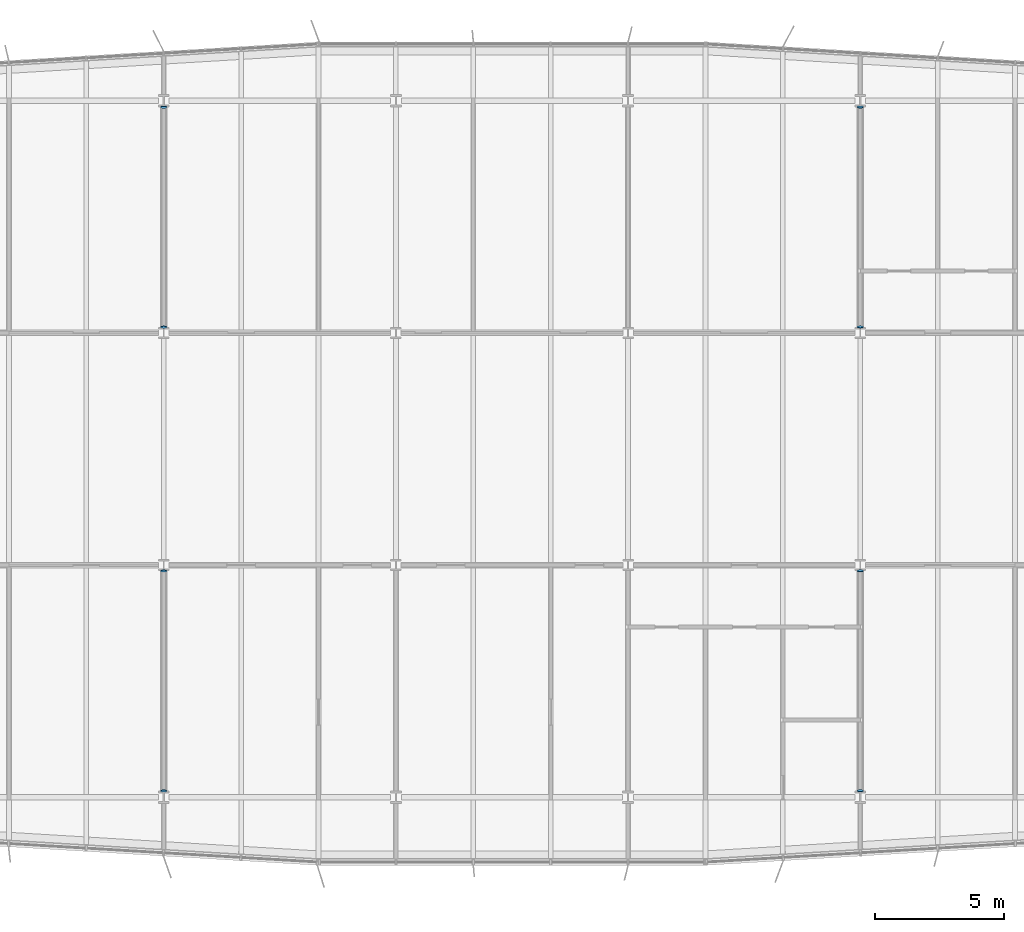
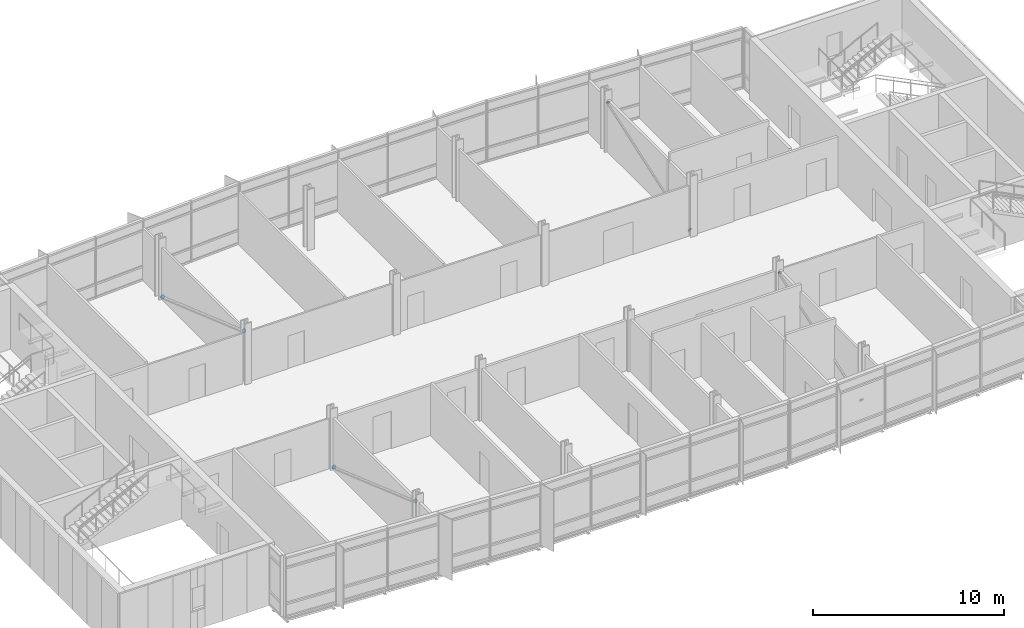
# One storey, part 14 of 17: 8 discrete accessories.
"""IFC4 building model written with IfcOpenShell, lengths in metres."""

from ifc_helpers import new_model, si_unit, direction, frame, origin, origin_2d, place, context, subcontext, project, spatial, circle, extrude, material, material_profile, profile_set, type_object, element, save


model = new_model("IFC4")

# Units and contexts
model_context = context("Model", 3, precision=1e-05, world=origin(), true_north=direction((0.0, 1.0)))
body_context = subcontext(model_context, "Body", "Model", "MODEL_VIEW")
ifc_project = project(units=[si_unit("LENGTHUNIT", "METRE"), si_unit("AREAUNIT", "SQUARE_METRE"), si_unit("VOLUMEUNIT", "CUBIC_METRE"), si_unit("PLANEANGLEUNIT", "RADIAN"), si_unit("MASSUNIT", "GRAM", prefix="KILO")], contexts=[model_context])

# Site, building, storey
site_placement = place(None, origin())
site = spatial("IfcSite", under=ifc_project, at=site_placement, CompositionType="ELEMENT")
building_placement = place(site_placement, origin())
building = spatial("IfcBuilding", under=site, at=building_placement, Name="Azimuth Sports and Learning Centre", CompositionType="ELEMENT")
storey_placement = place(building_placement, frame((0.0, 0.0, 36.300048828125)))
storey = spatial("IfcBuildingStorey", under=building, at=storey_placement, Name="L07", CompositionType="ELEMENT", Elevation=36.300048828125)

# Discrete accessories
ifc_material = material(Name="Steel S355", Category="steel")
ifc_material_profile = material_profile(ifc_material, circle(Radius=0.122314453125, at=origin_2d()), Name="PL 244 DISC")
ifc_profile_set = profile_set([ifc_material_profile], Name="Steel S355")
discrete_accessory_type = type_object("IfcDiscreteAccessoryType", Name="End plate CHS 244.5x12.5", PredefinedType="USERDEFINED", material=ifc_profile_set)
discrete_accessory_1_placement = place(storey_placement, frame((72.0, 98.761962890625, 0.16943359375), z_axis=(0.0, 0.94498607344, -0.327110563883), x_axis=(-1.0, 0.0, 0.0)))
element("IfcDiscreteAccessory", 1, at=discrete_accessory_1_placement, inside=storey, type_object=discrete_accessory_type, Name="End plate Tower brace 9 L07 lower end", ObjectType="END PLATE", PredefinedType="USERDEFINED", context=body_context, shape_type="SweptSolid", body=[
    extrude(circle(Radius=0.122314453125, at=origin_2d()), origin(), (0.0, 0.0, 1.0), 0.020263671875),
])
for number, where, z_axis, x_axis, name in (
    (2, (72.0, 90.25732421875, 3.150634765625), (0.0, -0.943667134088, 0.330896267797), (1.0, 0.0, 0.0), "End plate Tower brace 9 L07 upper end"),
    (3, (72.0, 116.74267578125, 0.16943359375), (0.0, 0.943667134088, -0.330896267797), (-1.0, 0.0, 0.0), "End plate Tower brace 9 L07 lower end"),
):
    element("IfcDiscreteAccessory", number, at=place(storey_placement, frame(where, z_axis=z_axis, x_axis=x_axis)), inside=storey, type_object=discrete_accessory_type, Name=name, ObjectType="END PLATE", PredefinedType="USERDEFINED", context=body_context, shape_type="SweptSolid", body=[
        extrude(circle(Radius=0.122314453125, at=origin_2d()), origin(), (0.0, 0.0, 1.0), 0.02001953125),
    ])
discrete_accessory_2_placement = place(storey_placement, frame((72.0, 108.238037109375, 3.150634765625), z_axis=(0.0, -0.94498607344, 0.327110563883), x_axis=(1.0, 0.0, 0.0)))
element("IfcDiscreteAccessory", 4, at=discrete_accessory_2_placement, inside=storey, type_object=discrete_accessory_type, Name="End plate Tower brace 9 L07 upper end", ObjectType="END PLATE", PredefinedType="USERDEFINED", context=body_context, shape_type="SweptSolid", body=[
    extrude(circle(Radius=0.122314453125, at=origin_2d()), origin(), (0.0, 0.0, 1.0), 0.020263671875),
])
discrete_accessory_3_placement = place(storey_placement, frame((99.0, 90.25732421875, 0.16943359375), z_axis=(0.0, -0.943667134088, -0.330896267797), x_axis=(1.0, 0.0, 0.0)))
element("IfcDiscreteAccessory", 5, at=discrete_accessory_3_placement, inside=storey, type_object=discrete_accessory_type, Name="End plate Tower brace 12 L07 lower end", ObjectType="END PLATE", PredefinedType="USERDEFINED", context=body_context, shape_type="SweptSolid", body=[
    extrude(circle(Radius=0.122314453125, at=origin_2d()), origin(), (0.0, 0.0, 1.0), 0.02001953125),
])
for number, where, z_axis, x_axis, name in (
    (6, (99.0, 98.761962890625, 3.150634765625), (0.0, 0.94498607344, 0.327110563883), (-1.0, 0.0, 0.0), "End plate Tower brace 12 L07 upper end"),
    (7, (99.0, 108.238037109375, 0.16943359375), (0.0, -0.94498607344, -0.327110563883), (1.0, 0.0, 0.0), "End plate Tower brace 12 L07 lower end"),
):
    element("IfcDiscreteAccessory", number, at=place(storey_placement, frame(where, z_axis=z_axis, x_axis=x_axis)), inside=storey, type_object=discrete_accessory_type, Name=name, ObjectType="END PLATE", PredefinedType="USERDEFINED", context=body_context, shape_type="SweptSolid", body=[
        extrude(circle(Radius=0.122314453125, at=origin_2d()), origin(), (0.0, 0.0, 1.0), 0.020263671875),
    ])
discrete_accessory_4_placement = place(storey_placement, frame((99.0, 116.74267578125, 3.150634765625), z_axis=(0.0, 0.943667134088, 0.330896267797), x_axis=(-1.0, 0.0, 0.0)))
element("IfcDiscreteAccessory", 8, at=discrete_accessory_4_placement, inside=storey, type_object=discrete_accessory_type, Name="End plate Tower brace 12 L07 upper end", ObjectType="END PLATE", PredefinedType="USERDEFINED", context=body_context, shape_type="SweptSolid", body=[
    extrude(circle(Radius=0.122314453125, at=origin_2d()), origin(), (0.0, 0.0, 1.0), 0.02001953125),
])

save(model, "model.ifc")
